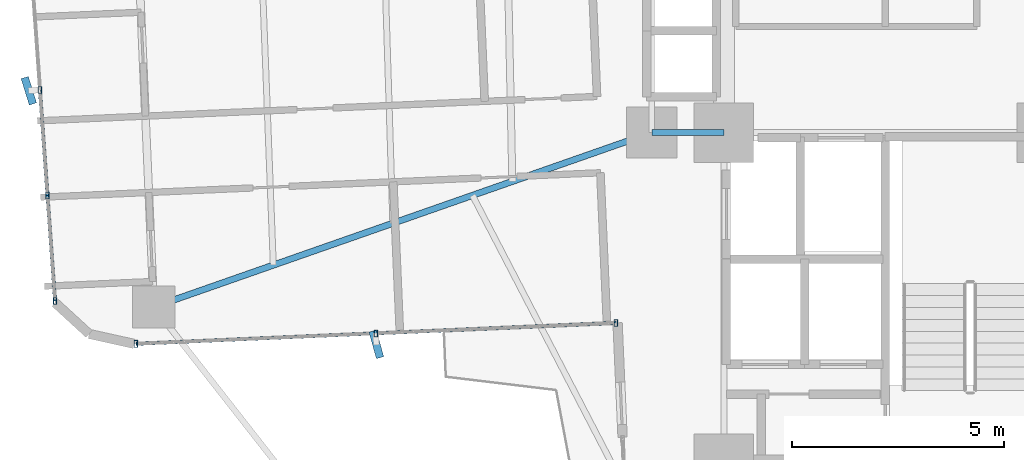
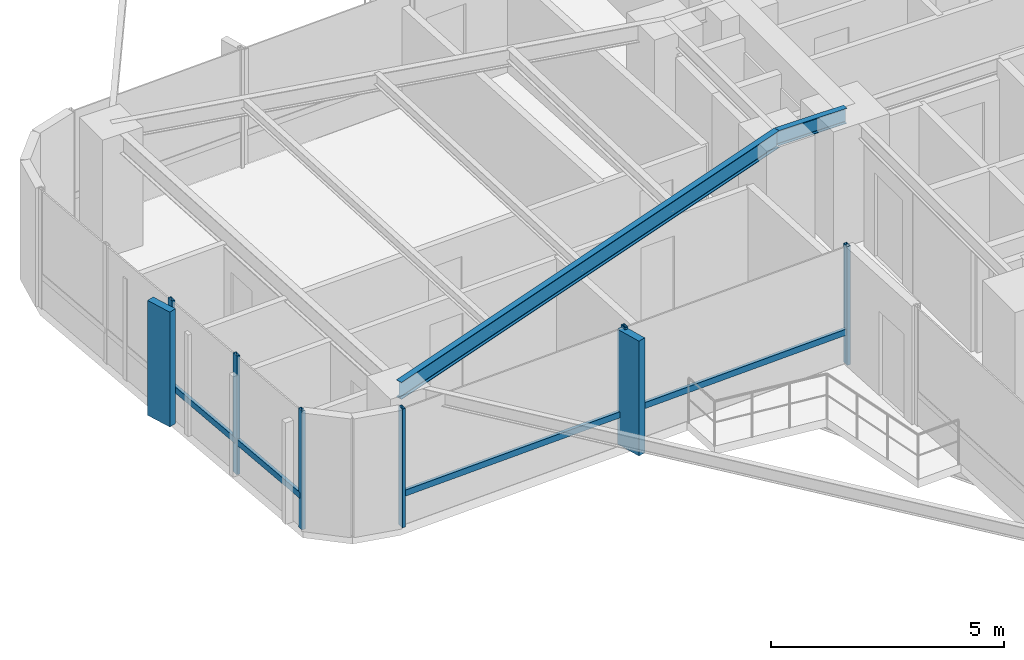
# One storey, part 8 of 26: 12 members, 2 beams, 2 elements without a shape of their own.
"""IFC4 building model written with IfcOpenShell, lengths in metres."""

from ifc_helpers import new_model, si_unit, direction, frame, origin, origin_2d, place, context, subcontext, project, spatial, rectangle, hollow_rectangle, i_section, extrude, source, transform, mapped, material, material_profile, profile_set, type_object, element, aggregate, save


model = new_model("IFC4")

# Units and contexts
model_context = context("Model", 3, precision=1e-05, world=origin(), true_north=direction((0.0, 1.0)))
body_context = subcontext(model_context, "Body", "Model", "MODEL_VIEW")
ifc_project = project(units=[si_unit("LENGTHUNIT", "METRE"), si_unit("AREAUNIT", "SQUARE_METRE"), si_unit("VOLUMEUNIT", "CUBIC_METRE"), si_unit("PLANEANGLEUNIT", "RADIAN"), si_unit("MASSUNIT", "GRAM", prefix="KILO")], contexts=[model_context])

# Site, building, storey
site_placement = place(None, origin())
site = spatial("IfcSite", under=ifc_project, at=site_placement, CompositionType="ELEMENT")
building_placement = place(site_placement, origin())
building = spatial("IfcBuilding", under=site, at=building_placement, Name="Sahyath Konkavel Grand Hotel", CompositionType="ELEMENT")
storey_placement = place(building_placement, frame((0.0, 0.0, 86.85009765625)))
storey = spatial("IfcBuildingStorey", under=building, at=storey_placement, Name="L23", CompositionType="ELEMENT", Elevation=86.85009765625)

# Beams
ifc_material_1 = material(Name="Steel E350", Category="steel")
ifc_material_profile_1 = material_profile(ifc_material_1, i_section(OverallWidth=0.139892578125, OverallDepth=0.39990234375, WebThickness=0.0087890625, FlangeThickness=0.01611328125, FilletRadius=0.013916015625, at=origin_2d()), Name="ISMB 400")
ifc_profile_set_1 = profile_set([ifc_material_profile_1], Name="Steel E350")
beam_type_1 = type_object("IfcBeamType", Name="BM-ISMB400", PredefinedType="BEAM", material=ifc_profile_set_1)
shared_shape_1 = source(origin(), body_context, "Body", "SweptSolid", [
    extrude(i_section(OverallWidth=0.139892578125, OverallDepth=0.39990234375, WebThickness=0.0087890625, FlangeThickness=0.01611328125, FilletRadius=0.013916015625, at=origin_2d()), origin(), (0.0, 0.0, 1.0), 1.699951171875),
])
beam_1_placement = place(storey_placement, frame((-5.5, -2.39990234375, 2.909912109375), z_axis=(1.0, 0.0, 0.0), x_axis=(0.0, 1.0, 0.0)))
element("IfcBeam", 1, at=beam_1_placement, inside=storey, type_object=beam_type_1, Name="str:bm:L23:HB-SW", PredefinedType="BEAM", context=body_context, shape_type="MappedRepresentation", body=[
    mapped(shared_shape_1, transform((0.0, 0.0, 0.0), scale=1.0)),
])
ifc_material_profile_2 = material_profile(ifc_material_1, i_section(OverallWidth=0.14990234375, OverallDepth=0.449951171875, WebThickness=0.009521484375, FlangeThickness=0.017333984375, FilletRadius=0.014892578125, at=origin_2d()), Name="ISMB 450")
ifc_profile_set_2 = profile_set([ifc_material_profile_2], Name="Steel E350")
beam_type_2 = type_object("IfcBeamType", Name="BM-ISMB450", PredefinedType="BEAM", material=ifc_profile_set_2)
shared_shape_2 = source(origin(), body_context, "Body", "SweptSolid", [
    extrude(i_section(OverallWidth=0.14990234375, OverallDepth=0.449951171875, WebThickness=0.009521484375, FlangeThickness=0.017333984375, FilletRadius=0.014892578125, at=origin_2d()), origin(), (0.0, 0.0, 1.0), 12.430908203125),
])
beam_2_placement = place(storey_placement, frame((-5.5, -2.39990234375, 2.885009765625), z_axis=(-0.943819157235, -0.330462400941, 0.0), x_axis=(0.330462400941, -0.943819157235, 0.0)))
element("IfcBeam", 2, at=beam_2_placement, inside=storey, type_object=beam_type_2, Name="L23 Cruciform Radial Girder WB", PredefinedType="BEAM", context=body_context, shape_type="MappedRepresentation", body=[
    mapped(shared_shape_2, transform((0.0, 0.0, 0.0), scale=1.0)),
])

# Curtain wall, members
ifc_material_2 = material(Name="Anodised Bronze Aluminium & Low-E Glazing", Category="aluminium")
curtain_wall_type = type_object("IfcCurtainWallType", Name="CW-ZONE2", PredefinedType="NOTDEFINED", material=ifc_material_2)
curtain_wall_1_placement = place(storey_placement, origin())
curtain_wall_1 = element("IfcCurtainWall", 3, at=curtain_wall_1_placement, inside=storey, type_object=curtain_wall_type, Name="L23 Unitised Curtain Wall F20", PredefinedType="NOTDEFINED")
ifc_material_3 = material(Name="Anodised Bronze Aluminium", Category="aluminium")
ifc_material_profile_3 = material_profile(ifc_material_3, hollow_rectangle(XDim=0.080078125, YDim=0.159912109375, WallThickness=0.006103515625, at=origin_2d()), Name="RHS 160x80x6")
ifc_profile_set_3 = profile_set([ifc_material_profile_3], Name="Anodised Bronze Aluminium")
member_type_1 = type_object("IfcMemberType", Name="CW-MUL-160", PredefinedType="MULLION", material=ifc_profile_set_3)
shared_shape_3 = source(origin(), body_context, "Body", "SweptSolid", [
    extrude(hollow_rectangle(XDim=0.080078125, YDim=0.159912109375, WallThickness=0.006103515625, at=origin_2d()), origin(), (0.0, 0.0, 1.0), 3.10986328125),
])
member_1_placement = place(storey_placement, frame((-19.91748046875, -1.39501953125, 0.0), z_axis=(0.0, 0.0, 1.0), x_axis=(1.0, 0.0, 0.0)))
member_1 = element("IfcMember", 4, at=member_1_placement, type_object=member_type_1, Name="L23 Curtain Wall Mullion F20-2", PredefinedType="MULLION", context=body_context, shape_type="MappedRepresentation", body=[
    mapped(shared_shape_3, transform((0.0, 0.0, 0.0), scale=1.0)),
])
member_2_placement = place(storey_placement, frame((-19.739013671875, -3.882080078125, 0.0), z_axis=(0.0, 0.0, 1.0), x_axis=(1.0, 0.0, 0.0)))
member_2 = element("IfcMember", 5, at=member_2_placement, type_object=member_type_1, Name="L23 Curtain Wall Mullion F20-3", PredefinedType="MULLION", context=body_context, shape_type="MappedRepresentation", body=[
    mapped(shared_shape_3, transform((0.0, 0.0, 0.0), scale=1.0)),
])
member_3_placement = place(storey_placement, frame((-19.560546875, -6.369384765625, 0.0), z_axis=(0.0, 0.0, 1.0), x_axis=(1.0, 0.0, 0.0)))
member_3 = element("IfcMember", 6, at=member_3_placement, type_object=member_type_1, Name="L23 Curtain Wall Mullion F20-4", PredefinedType="MULLION", context=body_context, shape_type="MappedRepresentation", body=[
    mapped(shared_shape_3, transform((0.0, 0.0, 0.0), scale=1.0)),
])

curtain_wall_2_placement = place(storey_placement, origin())
curtain_wall_2 = element("IfcCurtainWall", 7, at=curtain_wall_2_placement, inside=storey, type_object=curtain_wall_type, Name="L23 Unitised Curtain Wall F23", PredefinedType="NOTDEFINED")
member_4_placement = place(storey_placement, frame((-17.655029296875, -7.377197265625, 0.0), z_axis=(0.0, 0.0, 1.0), x_axis=(1.0, 0.0, 0.0)))
member_4 = element("IfcMember", 8, at=member_4_placement, type_object=member_type_1, Name="L23 Curtain Wall Mullion F23-0", PredefinedType="MULLION", context=body_context, shape_type="MappedRepresentation", body=[
    mapped(shared_shape_3, transform((0.0, 0.0, 0.0), scale=1.0)),
])
member_5_placement = place(storey_placement, frame((-12.00048828125, -7.13037109375, 0.0), z_axis=(0.0, 0.0, 1.0), x_axis=(1.0, 0.0, 0.0)))
member_5 = element("IfcMember", 9, at=member_5_placement, type_object=member_type_1, Name="L23 Curtain Wall Mullion F23-1", PredefinedType="MULLION", context=body_context, shape_type="MappedRepresentation", body=[
    mapped(shared_shape_3, transform((0.0, 0.0, 0.0), scale=1.0)),
])
member_6_placement = place(storey_placement, frame((-6.345703125, -6.88330078125, 0.0), z_axis=(0.0, 0.0, 1.0), x_axis=(1.0, 0.0, 0.0)))
member_6 = element("IfcMember", 10, at=member_6_placement, type_object=member_type_1, Name="L23 Curtain Wall Mullion F23-2", PredefinedType="MULLION", context=body_context, shape_type="MappedRepresentation", body=[
    mapped(shared_shape_3, transform((0.0, 0.0, 0.0), scale=1.0)),
])

# Member
ifc_material_4 = material(Name="Warm Buff Sandstone Cladding on Concrete C50/60", Category="masonry")
ifc_material_profile_4 = material_profile(ifc_material_4, rectangle(XDim=0.179931640625, YDim=0.64990234375, at=origin_2d()), Name="FIN 180x650")
ifc_profile_set_4 = profile_set([ifc_material_profile_4], Name="Warm Buff Sandstone Cladding on Concrete C50/60")
member_type_2 = type_object("IfcMemberType", Name="FIN-SANDSTONE-650", PredefinedType="MULLION", material=ifc_profile_set_4)
shared_shape_4 = source(origin(), body_context, "Body", "SweptSolid", [
    extrude(rectangle(XDim=0.179931640625, YDim=0.64990234375, at=origin_2d()), origin(), (0.0, 0.0, 1.0), 3.010009765625),
])
member_7_placement = place(storey_placement, frame((-20.1767578125, -1.413818359375, 0.0498046875), z_axis=(0.0, 0.0, 1.0), x_axis=(0.954812686667, 0.297208232354, 0.0)))
member_7 = element("IfcMember", 11, at=member_7_placement, type_object=member_type_2, Name="L23 Sandstone Vertical Solar Fin FIN F20-2", PredefinedType="MULLION", context=body_context, shape_type="MappedRepresentation", body=[
    mapped(shared_shape_4, transform((0.0, 0.0, 0.0), scale=1.0)),
])

member_8_placement = place(storey_placement, frame((-11.989013671875, -7.39013671875, 0.0498046875), z_axis=(0.0, 0.0, 1.0), x_axis=(0.962360427228, 0.271776393577, 0.0)))
member_8 = element("IfcMember", 12, at=member_8_placement, type_object=member_type_2, Name="L23 Sandstone Vertical Solar Fin FIN F23-1", PredefinedType="MULLION", context=body_context, shape_type="MappedRepresentation", body=[
    mapped(shared_shape_4, transform((0.0, 0.0, 0.0), scale=1.0)),
])

ifc_material_profile_5 = material_profile(ifc_material_3, hollow_rectangle(XDim=0.080078125, YDim=0.159912109375, WallThickness=0.006103515625, at=origin_2d()), Name="RHS 160x80x6")
ifc_profile_set_5 = profile_set([ifc_material_profile_5], Name="Anodised Bronze Aluminium")
member_type_3 = type_object("IfcMemberType", Name="CW-TRN-160", PredefinedType="USERDEFINED", material=ifc_profile_set_5)
shared_shape_5 = source(origin(), body_context, "Body", "SweptSolid", [
    extrude(hollow_rectangle(XDim=0.080078125, YDim=0.159912109375, WallThickness=0.006103515625, at=origin_2d()), origin(), (0.0, 0.0, 1.0), 2.493408203125),
])
member_9_placement = place(storey_placement, frame((-19.91748046875, -1.39501953125, 0.849853515625), z_axis=(0.071574084062, -0.997435286367, 0.0), x_axis=(0.997435286367, 0.071574084062, 0.0)))
member_9 = element("IfcMember", 13, at=member_9_placement, type_object=member_type_3, Name="L23 Curtain Wall Transom F20-2-spandrel", ObjectType="TRANSOM", PredefinedType="USERDEFINED", context=body_context, shape_type="MappedRepresentation", body=[
    mapped(shared_shape_5, transform((0.0, 0.0, 0.0), scale=1.0)),
])

shared_shape_6 = source(origin(), body_context, "Body", "SweptSolid", [
    extrude(hollow_rectangle(XDim=0.080078125, YDim=0.159912109375, WallThickness=0.006103515625, at=origin_2d()), origin(), (0.0, 0.0, 1.0), 2.49365234375),
])
member_10_placement = place(storey_placement, frame((-19.739013671875, -3.882080078125, 0.849853515625), z_axis=(0.071567094714, -0.997435787885, 0.0), x_axis=(0.997435787885, 0.071567094714, 0.0)))
member_10 = element("IfcMember", 14, at=member_10_placement, type_object=member_type_3, Name="L23 Curtain Wall Transom F20-3-spandrel", ObjectType="TRANSOM", PredefinedType="USERDEFINED", context=body_context, shape_type="MappedRepresentation", body=[
    mapped(shared_shape_6, transform((0.0, 0.0, 0.0), scale=1.0)),
])

aggregate(curtain_wall_1, [member_1, member_7, member_2, member_3, member_9, member_10])

shared_shape_7 = source(origin(), body_context, "Body", "SweptSolid", [
    extrude(hollow_rectangle(XDim=0.080078125, YDim=0.159912109375, WallThickness=0.006103515625, at=origin_2d()), origin(), (0.0, 0.0, 1.0), 5.659912109375),
])
member_11_placement = place(storey_placement, frame((-17.655029296875, -7.377197265625, 0.849853515625), z_axis=(0.999048655935, 0.043609437898, 0.0), x_axis=(-0.043609437898, 0.999048655935, 0.0)))
member_11 = element("IfcMember", 15, at=member_11_placement, type_object=member_type_3, Name="L23 Curtain Wall Transom F23-0-spandrel", ObjectType="TRANSOM", PredefinedType="USERDEFINED", context=body_context, shape_type="MappedRepresentation", body=[
    mapped(shared_shape_7, transform((0.0, 0.0, 0.0), scale=1.0)),
])

shared_shape_8 = source(origin(), body_context, "Body", "SweptSolid", [
    extrude(hollow_rectangle(XDim=0.080078125, YDim=0.159912109375, WallThickness=0.006103515625, at=origin_2d()), origin(), (0.0, 0.0, 1.0), 5.66015625),
])
member_12_placement = place(storey_placement, frame((-12.00048828125, -7.13037109375, 0.849853515625), z_axis=(0.9990468579, 0.043650609628, 0.0), x_axis=(-0.043650609628, 0.9990468579, 0.0)))
member_12 = element("IfcMember", 16, at=member_12_placement, type_object=member_type_3, Name="L23 Curtain Wall Transom F23-1-spandrel", ObjectType="TRANSOM", PredefinedType="USERDEFINED", context=body_context, shape_type="MappedRepresentation", body=[
    mapped(shared_shape_8, transform((0.0, 0.0, 0.0), scale=1.0)),
])

aggregate(curtain_wall_2, [member_4, member_5, member_8, member_6, member_11, member_12])

save(model, "model.ifc")
